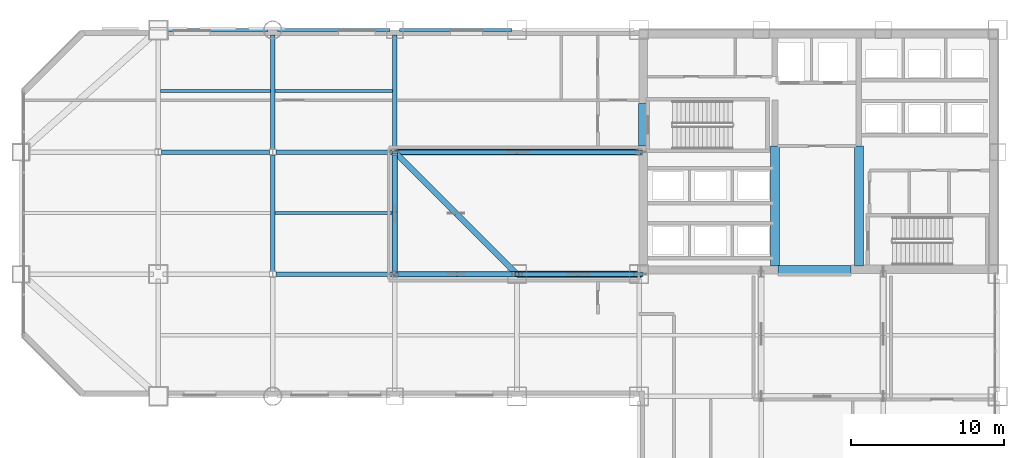
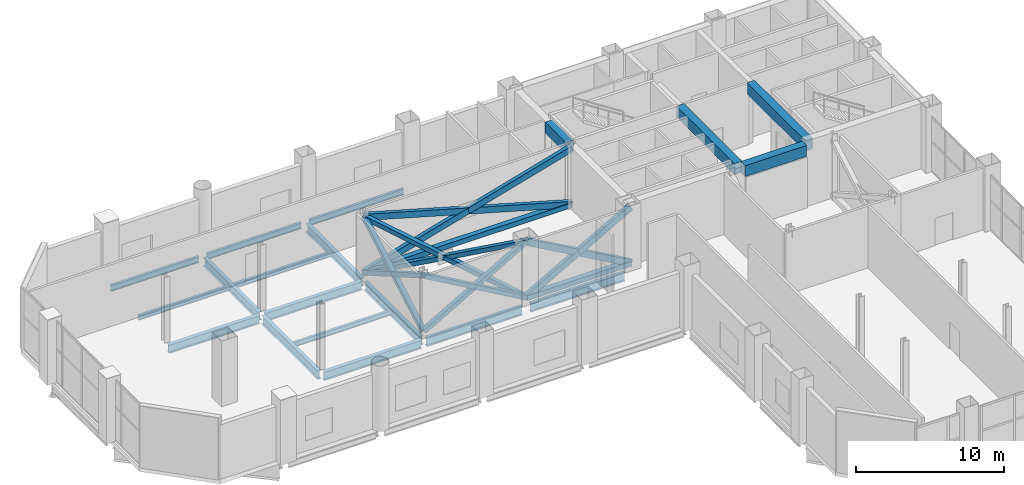
# One storey, part 18 of 26: 19 beams, 17 members.
"""IFC4 building model written with IfcOpenShell, lengths in metres."""

import ifcopenshell
import ifcopenshell.guid

model = None  # the IFC model being written
_history = None  # IfcOwnerHistory: only IFC2X3 demands one
_inside = {}  # id of a spatial element -> (the spatial element, [elements in it])
_under = {}  # id of a project, library or spatial element -> (it, [spatial elements below it])
_declared = {}  # id of a project -> (the project, [libraries it declares])
_typed = {}  # id of a type object -> (the type object, [elements of that type])
_made_of = {}  # id of a material, layer set ... -> (it, [elements and type objects made of it])


def new_model(schema):
    """Start an empty IFC model of exactly this schema.

    Asked for "IFC4X3", IfcOpenShell would pick the latest addendum, in which some entities
    have other attributes; the version numbers below select the first issue.
    IFC2X3 requires an IfcOwnerHistory on every rooted entity: one is made here for all.
    """
    global model, _history
    if schema == "IFC4X3":
        model = ifcopenshell.file(schema_version=(4, 3, 0, 0))
    else:
        model = ifcopenshell.file(schema=schema)
    _inside.clear()
    _under.clear()
    _declared.clear()
    _typed.clear()
    _made_of.clear()
    _history = None
    if model.schema == "IFC2X3":
        org = make("IfcOrganization", Name="unknown")
        user = make(
            "IfcPersonAndOrganization",
            ThePerson=make("IfcPerson", FamilyName="unknown"),
            TheOrganization=org,
        )
        app = make(
            "IfcApplication",
            ApplicationDeveloper=org,
            Version="unknown",
            ApplicationFullName="unknown",
            ApplicationIdentifier="unknown",
        )
        _history = make(
            "IfcOwnerHistory",
            OwningUser=user,
            OwningApplication=app,
            ChangeAction="ADDED",
            CreationDate=0,
        )
    return model


def make(cls, **values):
    """One entity of the class cls with the attributes given. An attribute that is None is left unset."""
    return model.create_entity(
        cls, **{name: value for name, value in values.items() if value is not None}
    )


def rooted(cls, **values):
    """An entity with a GlobalId (a new one), such as an element, a storey or a relation."""
    return make(cls, GlobalId=ifcopenshell.guid.new(), OwnerHistory=_history, **values)


def si_unit(unit_type, name, prefix=None):
    """IfcSIUnit, for example si_unit("LENGTHUNIT", "METRE", prefix="MILLI")."""
    return make("IfcSIUnit", UnitType=unit_type, Prefix=prefix, Name=name)


def assignment(units):
    """IfcUnitAssignment: the units of a project."""
    return None if units is None else make("IfcUnitAssignment", Units=units)


def point(xyz):
    """IfcCartesianPoint."""
    return None if xyz is None else make("IfcCartesianPoint", Coordinates=xyz)


def direction(xyz):
    """IfcDirection."""
    return None if xyz is None else make("IfcDirection", DirectionRatios=xyz)


def frame(location, z_axis=None, x_axis=None):
    """IfcAxis2Placement3D, a coordinate frame: its origin and axes. An axis left out is left unset."""
    return make(
        "IfcAxis2Placement3D",
        Location=point(location),
        Axis=direction(z_axis),
        RefDirection=direction(x_axis),
    )


def frame_2d(location, x_axis=None):
    """IfcAxis2Placement2D, a coordinate frame in the plane: its origin and x axis."""
    return make(
        "IfcAxis2Placement2D", Location=point(location), RefDirection=direction(x_axis)
    )


def origin():
    """The frame at (0, 0, 0) with its axes left unset."""
    return frame((0.0, 0.0, 0.0))


def origin_2d():
    """The frame at (0, 0) in the plane with its x axis left unset."""
    return frame_2d((0.0, 0.0))


def place(relative_to, where):
    """IfcLocalPlacement: puts the frame where relative to a parent placement (None: the world)."""
    return make(
        "IfcLocalPlacement", PlacementRelTo=relative_to, RelativePlacement=where
    )


def context(
    kind, dimensions, precision=None, world=None, true_north=None, identifier=None
):
    """IfcGeometricRepresentationContext, for example the 3D "Model" context."""
    return make(
        "IfcGeometricRepresentationContext",
        ContextIdentifier=identifier,
        ContextType=kind,
        CoordinateSpaceDimension=dimensions,
        Precision=precision,
        WorldCoordinateSystem=world,
        TrueNorth=true_north,
    )


def subcontext(parent, identifier, kind, view, scale=None):
    """IfcGeometricRepresentationSubContext, for example "Body" below "Model"."""
    return make(
        "IfcGeometricRepresentationSubContext",
        ContextIdentifier=identifier,
        ContextType=kind,
        ParentContext=parent,
        TargetScale=scale,
        TargetView=view,
    )


def project(units=None, contexts=None):
    """IfcProject with its units and contexts."""
    return rooted(
        "IfcProject",
        Name="project",
        RepresentationContexts=contexts,
        UnitsInContext=assignment(units),
    )


def spatial(cls, under=None, at=None, **own):
    """A site, building, storey or space (cls), placed at a placement, below another one or the project."""
    s = rooted(cls, ObjectPlacement=at, **own)
    if under is not None:
        _under.setdefault(under.id(), (under, []))[1].append(s)
    return s


def profile(cls, at=None, kind="AREA", **sizes):
    """A parametric profile (cls). Its sizes go by their IFC names, for example OverallWidth=200.0."""
    return make(cls, ProfileType=kind, Position=at, **sizes)


def rectangle(**sizes):
    """IfcRectangleProfileDef."""
    return profile("IfcRectangleProfileDef", **sizes)


def hollow_rectangle(**sizes):
    """IfcRectangleHollowProfileDef."""
    return profile("IfcRectangleHollowProfileDef", **sizes)


def i_section(**sizes):
    """IfcIShapeProfileDef."""
    return profile("IfcIShapeProfileDef", **sizes)


def extrude(swept, where, along, depth):
    """IfcExtrudedAreaSolid: the profile swept, set in the frame where, extruded along a direction by depth."""
    return make(
        "IfcExtrudedAreaSolid",
        SweptArea=swept,
        Position=where,
        ExtrudedDirection=direction(along),
        Depth=depth,
    )


def shape(context_of_items, identifier, shape_type, items):
    """IfcShapeRepresentation: the items that make up one representation, for example the "Body"."""
    return make(
        "IfcShapeRepresentation",
        ContextOfItems=context_of_items,
        RepresentationIdentifier=identifier,
        RepresentationType=shape_type,
        Items=items,
    )


def material(Name=None, Category=None):
    """IfcMaterial."""
    return make("IfcMaterial", Name=Name, Category=Category)


def material_profile(
    of_material, cross_section, Name=None, Category=None, Priority=None
):
    """IfcMaterialProfile: a cross section and its material."""
    return make(
        "IfcMaterialProfile",
        Name=Name,
        Material=of_material,
        Profile=cross_section,
        Priority=Priority,
        Category=Category,
    )


def profile_set(profiles, Name=None, composite=None):
    """IfcMaterialProfileSet."""
    return make(
        "IfcMaterialProfileSet",
        Name=Name,
        MaterialProfiles=profiles,
        CompositeProfile=composite,
    )


def made_of(thing, what):
    """Note that an element or type object is made of a material, layer set ...; save() writes the relation."""
    if what is not None:
        _made_of.setdefault(what.id(), (what, []))[1].append(thing)
    return thing


def type_object(cls, material=None, **own):
    """A type object (cls), such as IfcWallType, which elements share."""
    return made_of(rooted(cls, **own), material)


def element(
    cls,
    number,
    at=None,
    inside=None,
    cuts=None,
    type_object=None,
    material=None,
    context=None,
    identifier="Body",
    shape_type=None,
    held_by="IfcProductDefinitionShape",
    body=None,
    shapes=None,
    **own,
):
    """One element of the class cls, such as IfcWall. Its Tag is "e" and its number.

    at: its placement. inside: the storey or other place that contains it. cuts: it is an
    opening in that element (IfcRelVoidsElement). A single representation is given by context,
    identifier, shape_type and body (its items); several are given by shapes. held_by: the class
    of the entity that holds the representations. save() writes the other relations.
    """
    e = rooted(cls, Tag="e%d" % number, ObjectPlacement=at, **own)
    if body is not None:
        shapes = [shape(context, identifier, shape_type, body)]
    if shapes is not None:
        e.Representation = make(held_by, Representations=shapes)
    if inside is not None:
        _inside.setdefault(inside.id(), (inside, []))[1].append(e)
    if cuts is not None:
        rooted(
            "IfcRelVoidsElement", RelatingBuildingElement=cuts, RelatedOpeningElement=e
        )
    if type_object is not None:
        _typed.setdefault(type_object.id(), (type_object, []))[1].append(e)
    return made_of(e, material)


def aggregate(whole, parts):
    """IfcRelAggregates: a whole, such as a stair, and the parts it consists of."""
    return rooted("IfcRelAggregates", RelatingObject=whole, RelatedObjects=parts)


def save(model, path):
    """Write the relations noted so far, then the file.

    IfcRelAggregates (storeys below a building ...), IfcRelContainedInSpatialStructure (elements
    in a storey), IfcRelDefinesByType, IfcRelAssociatesMaterial and IfcRelDeclares: one each for
    every whole, place, type object, material and project.
    """
    for whole, parts in _under.values():
        aggregate(whole, parts)
    for where, things in _inside.values():
        rooted(
            "IfcRelContainedInSpatialStructure",
            RelatedElements=things,
            RelatingStructure=where,
        )
    for kind, things in _typed.values():
        rooted("IfcRelDefinesByType", RelatedObjects=things, RelatingType=kind)
    for what, things in _made_of.values():
        rooted("IfcRelAssociatesMaterial", RelatedObjects=things, RelatingMaterial=what)
    for by, libraries in _declared.values():
        rooted("IfcRelDeclares", RelatingContext=by, RelatedDefinitions=libraries)
    model.write(path)


model = new_model("IFC4")

# Units and contexts
model_context = context("Model", 3, precision=1e-05, world=origin(), true_north=direction((0.0, 1.0)))
body_context = subcontext(model_context, "Body", "Model", "MODEL_VIEW")
ifc_project = project(units=[si_unit("LENGTHUNIT", "METRE"), si_unit("AREAUNIT", "SQUARE_METRE"), si_unit("VOLUMEUNIT", "CUBIC_METRE"), si_unit("PLANEANGLEUNIT", "RADIAN"), si_unit("MASSUNIT", "GRAM", prefix="KILO")], contexts=[model_context])

# Site, building, storey
site_placement = place(None, origin())
site = spatial("IfcSite", under=ifc_project, at=site_placement, CompositionType="ELEMENT")
building_placement = place(site_placement, origin())
building = spatial("IfcBuilding", under=site, at=building_placement, Name="Qianrong Seaharbour Tower", CompositionType="ELEMENT")
storey_placement = place(building_placement, frame((0.0, 0.0, 108.199951171875)))
storey = spatial("IfcBuildingStorey", under=building, at=storey_placement, Name="L26", CompositionType="ELEMENT", Elevation=108.199951171875)

# Beams
ifc_material_1 = material(Name="Structural steel SN490B", Category="steel")
ifc_material_profile_1 = material_profile(ifc_material_1, i_section(OverallWidth=0.300048828125, OverallDepth=0.699951171875, WebThickness=0.012939453125, FlangeThickness=0.02392578125, FilletRadius=0.02587890625, at=origin_2d()), Name="H700x300x13x24")
ifc_profile_set_1 = profile_set([ifc_material_profile_1], Name="Structural steel SN490B")
beam_type_1 = type_object("IfcBeamType", Name="BM-G-700", PredefinedType="BEAM", material=ifc_profile_set_1)
beam_1_placement = place(storey_placement, frame((16.70361328125, 36.0, -0.699951171875), z_axis=(1.0, 0.0, 0.0), x_axis=(0.0, 1.0, 0.0)))
element("IfcBeam", 1, at=beam_1_placement, inside=storey, type_object=beam_type_1, Name="L26 Primary Girder GF G3-G4", PredefinedType="BEAM", context=body_context, shape_type="SweptSolid", body=[
    extrude(i_section(OverallWidth=0.300048828125, OverallDepth=0.699951171875, WebThickness=0.012939453125, FlangeThickness=0.02392578125, FilletRadius=0.02587890625, at=origin_2d()), origin(), (0.0, 0.0, 1.0), 7.5927734375),
])
beam_2_placement = place(storey_placement, frame((24.70361328125, 36.0, -0.699951171875), z_axis=(1.0, 0.0, 0.0), x_axis=(0.0, 1.0, 0.0)))
element("IfcBeam", 2, at=beam_2_placement, inside=storey, type_object=beam_type_1, Name="L26 Primary Girder GF G4-G5", PredefinedType="BEAM", context=body_context, shape_type="SweptSolid", body=[
    extrude(i_section(OverallWidth=0.300048828125, OverallDepth=0.699951171875, WebThickness=0.012939453125, FlangeThickness=0.02392578125, FilletRadius=0.02587890625, at=origin_2d()), origin(), (0.0, 0.0, 1.0), 7.476318359375),
])
beam_3_placement = place(storey_placement, frame((32.820068359375, 36.0, -0.699951171875), z_axis=(1.0, 0.0, 0.0), x_axis=(0.0, 1.0, 0.0)))
element("IfcBeam", 3, at=beam_3_placement, inside=storey, type_object=beam_type_1, Name="L26 Primary Girder GF G5-G6", PredefinedType="BEAM", context=body_context, shape_type="SweptSolid", body=[
    extrude(i_section(OverallWidth=0.300048828125, OverallDepth=0.699951171875, WebThickness=0.012939453125, FlangeThickness=0.02392578125, FilletRadius=0.02587890625, at=origin_2d()), origin(), (0.0, 0.0, 1.0), 7.35986328125),
])
beam_4_placement = place(storey_placement, frame((9.20361328125, 44.0, -0.699951171875), z_axis=(1.0, 0.0, 0.0), x_axis=(0.0, 1.0, 0.0)))
element("IfcBeam", 4, at=beam_4_placement, inside=storey, type_object=beam_type_1, Name="L26 Primary Girder GG G2-G3", PredefinedType="BEAM", context=body_context, shape_type="SweptSolid", body=[
    extrude(i_section(OverallWidth=0.300048828125, OverallDepth=0.699951171875, WebThickness=0.012939453125, FlangeThickness=0.02392578125, FilletRadius=0.02587890625, at=origin_2d()), origin(), (0.0, 0.0, 1.0), 7.0927734375),
])
beam_5_placement = place(storey_placement, frame((16.70361328125, 44.0, -0.699951171875), z_axis=(1.0, 0.0, 0.0), x_axis=(0.0, 1.0, 0.0)))
element("IfcBeam", 5, at=beam_5_placement, inside=storey, type_object=beam_type_1, Name="L26 Primary Girder GG G3-G4", PredefinedType="BEAM", context=body_context, shape_type="SweptSolid", body=[
    extrude(i_section(OverallWidth=0.300048828125, OverallDepth=0.699951171875, WebThickness=0.012939453125, FlangeThickness=0.02392578125, FilletRadius=0.02587890625, at=origin_2d()), origin(), (0.0, 0.0, 1.0), 7.5927734375),
])
beam_6_placement = place(storey_placement, frame((16.5, 36.214111328125, -0.699951171875), z_axis=(0.0, 1.0, 0.0), x_axis=(-1.0, 0.0, 0.0)))
element("IfcBeam", 6, at=beam_6_placement, inside=storey, type_object=beam_type_1, Name="L26 Primary Girder G3 GF-GG", PredefinedType="BEAM", context=body_context, shape_type="SweptSolid", body=[
    extrude(i_section(OverallWidth=0.300048828125, OverallDepth=0.699951171875, WebThickness=0.012939453125, FlangeThickness=0.02392578125, FilletRadius=0.02587890625, at=origin_2d()), origin(), (0.0, 0.0, 1.0), 7.57177734375),
])
beam_7_placement = place(storey_placement, frame((16.5, 44.214111328125, -0.699951171875), z_axis=(0.0, 1.0, 0.0), x_axis=(-1.0, 0.0, 0.0)))
element("IfcBeam", 7, at=beam_7_placement, inside=storey, type_object=beam_type_1, Name="L26 Primary Girder G3 GG-GH", PredefinedType="BEAM", context=body_context, shape_type="SweptSolid", body=[
    extrude(i_section(OverallWidth=0.300048828125, OverallDepth=0.699951171875, WebThickness=0.012939453125, FlangeThickness=0.02392578125, FilletRadius=0.02587890625, at=origin_2d()), origin(), (0.0, 0.0, 1.0), 7.4658203125),
])
beam_8_placement = place(storey_placement, frame((24.5, 36.214111328125, -0.699951171875), z_axis=(0.0, 1.0, 0.0), x_axis=(-1.0, 0.0, 0.0)))
element("IfcBeam", 8, at=beam_8_placement, inside=storey, type_object=beam_type_1, Name="L26 Primary Girder G4 GF-GG", PredefinedType="BEAM", context=body_context, shape_type="SweptSolid", body=[
    extrude(i_section(OverallWidth=0.300048828125, OverallDepth=0.699951171875, WebThickness=0.012939453125, FlangeThickness=0.02392578125, FilletRadius=0.02587890625, at=origin_2d()), origin(), (0.0, 0.0, 1.0), 7.57177734375),
])
beam_9_placement = place(storey_placement, frame((24.5, 44.214111328125, -0.699951171875), z_axis=(0.0, 1.0, 0.0), x_axis=(-1.0, 0.0, 0.0)))
element("IfcBeam", 9, at=beam_9_placement, inside=storey, type_object=beam_type_1, Name="L26 Primary Girder G4 GG-GH", PredefinedType="BEAM", context=body_context, shape_type="SweptSolid", body=[
    extrude(i_section(OverallWidth=0.300048828125, OverallDepth=0.699951171875, WebThickness=0.012939453125, FlangeThickness=0.02392578125, FilletRadius=0.02587890625, at=origin_2d()), origin(), (0.0, 0.0, 1.0), 7.4658203125),
])
ifc_material_2 = material(Name="Structural steel SN400B", Category="steel")
ifc_material_profile_2 = material_profile(ifc_material_2, i_section(OverallWidth=0.199951171875, OverallDepth=0.39990234375, WebThickness=0.008056640625, FlangeThickness=0.012939453125, FilletRadius=0.01611328125, at=origin_2d()), Name="H400x200x8x13")
ifc_profile_set_2 = profile_set([ifc_material_profile_2], Name="Structural steel SN400B")
beam_type_2 = type_object("IfcBeamType", Name="BM-J-400", PredefinedType="JOIST", material=ifc_profile_set_2)
beam_10_placement = place(storey_placement, frame((9.14990234375, 48.0, -0.550048828125), z_axis=(1.0, 0.0, 0.0), x_axis=(0.0, 1.0, 0.0)))
element("IfcBeam", 10, at=beam_10_placement, inside=storey, type_object=beam_type_2, Name="L26 Composite Floor Joist G2-G3/GG-GH", PredefinedType="JOIST", context=body_context, shape_type="SweptSolid", body=[
    extrude(i_section(OverallWidth=0.199951171875, OverallDepth=0.39990234375, WebThickness=0.008056640625, FlangeThickness=0.012939453125, FilletRadius=0.01611328125, at=origin_2d()), origin(), (0.0, 0.0, 1.0), 7.2001953125),
])
for number, where, z_axis, x_axis, name in (
    (11, (16.64990234375, 40.0, -0.550048828125), (1.0, 0.0, 0.0), (0.0, 1.0, 0.0), "L26 Composite Floor Joist G3-G4/GF-GG"),
    (12, (16.64990234375, 48.0, -0.550048828125), (1.0, 0.0, 0.0), (0.0, 1.0, 0.0), "L26 Composite Floor Joist G3-G4/GG-GH"),
):
    element("IfcBeam", number, at=place(storey_placement, frame(where, z_axis=z_axis, x_axis=x_axis)), inside=storey, type_object=beam_type_2, Name=name, PredefinedType="JOIST", context=body_context, shape_type="SweptSolid", body=[
        extrude(i_section(OverallWidth=0.199951171875, OverallDepth=0.39990234375, WebThickness=0.008056640625, FlangeThickness=0.012939453125, FilletRadius=0.01611328125, at=origin_2d()), origin(), (0.0, 0.0, 1.0), 7.7001953125),
    ])
ifc_material_3 = material(Name="Concrete C70/85", Category="concrete")
ifc_material_profile_3 = material_profile(ifc_material_3, rectangle(XDim=0.60009765625, YDim=0.89990234375, at=origin_2d()), Name="RC600x900")
ifc_profile_set_3 = profile_set([ifc_material_profile_3], Name="Concrete C70/85")
beam_type_3 = type_object("IfcBeamType", Name="BM-LINTEL-900", PredefinedType="LINTEL", material=ifc_profile_set_3)
beam_11_placement = place(storey_placement, frame((40.77001953125, 44.39990234375, 4.650146484375), z_axis=(0.0, 1.0, 0.0), x_axis=(-1.0, 0.0, 0.0)))
element("IfcBeam", 13, at=beam_11_placement, inside=storey, type_object=beam_type_3, Name="L26 Core Coupling Lintel Beam West", PredefinedType="LINTEL", context=body_context, shape_type="SweptSolid", body=[
    extrude(rectangle(XDim=0.60009765625, YDim=0.89990234375, at=origin_2d()), origin(), (0.0, 0.0, 1.0), 2.800048828125),
])
beam_12_placement = place(storey_placement, frame((49.60009765625, 36.27001953125, 4.650146484375), z_axis=(1.0, 0.0, 0.0), x_axis=(0.0, 1.0, 0.0)))
element("IfcBeam", 14, at=beam_12_placement, inside=storey, type_object=beam_type_3, Name="L26 Core Coupling Lintel Beam CBC", PredefinedType="LINTEL", context=body_context, shape_type="SweptSolid", body=[
    extrude(rectangle(XDim=0.60009765625, YDim=0.89990234375, at=origin_2d()), origin(), (0.0, 0.0, 1.0), 4.7998046875),
])
for number, where, z_axis, x_axis, name in (
    (15, (49.39990234375, 36.5400390625, 4.650146484375), (0.0, 1.0, 0.0), (-1.0, 0.0, 0.0), "L26 Internal Core Coupling Beam IW1"),
    (16, (54.89990234375, 36.5400390625, 4.650146484375), (0.0, 1.0, 0.0), (-1.0, 0.0, 0.0), "L26 Internal Core Coupling Beam IW2"),
):
    element("IfcBeam", number, at=place(storey_placement, frame(where, z_axis=z_axis, x_axis=x_axis)), inside=storey, type_object=beam_type_3, Name=name, PredefinedType="LINTEL", context=body_context, shape_type="SweptSolid", body=[
        extrude(rectangle(XDim=0.60009765625, YDim=0.89990234375, at=origin_2d()), origin(), (0.0, 0.0, 1.0), 7.85986328125),
    ])
ifc_material_profile_4 = material_profile(ifc_material_1, i_section(OverallWidth=0.199951171875, OverallDepth=0.5, WebThickness=0.010009765625, FlangeThickness=0.01611328125, FilletRadius=0.02001953125, at=origin_2d()), Name="H500x200x10x16")
ifc_profile_set_4 = profile_set([ifc_material_profile_4], Name="Structural steel SN490B")
beam_type_4 = type_object("IfcBeamType", Name="BM-SP-500", PredefinedType="SPANDREL", material=ifc_profile_set_4)
beam_13_placement = place(storey_placement, frame((9.320068359375, 52.0, -0.599853515625), z_axis=(1.0, 0.0, 0.0), x_axis=(0.0, 1.0, 0.0)))
element("IfcBeam", 17, at=beam_13_placement, inside=storey, type_object=beam_type_4, Name="L26 Spandrel Girder GH G2-G3", PredefinedType="SPANDREL", context=body_context, shape_type="SweptSolid", body=[
    extrude(i_section(OverallWidth=0.199951171875, OverallDepth=0.5, WebThickness=0.010009765625, FlangeThickness=0.01611328125, FilletRadius=0.02001953125, at=origin_2d()), origin(), (0.0, 0.0, 1.0), 6.85986328125),
])
for number, where, z_axis, x_axis, name in (
    (18, (16.820068359375, 52.0, -0.599853515625), (1.0, 0.0, 0.0), (0.0, 1.0, 0.0), "L26 Spandrel Girder GH G3-G4"),
    (19, (24.820068359375, 52.0, -0.599853515625), (1.0, 0.0, 0.0), (0.0, 1.0, 0.0), "L26 Spandrel Girder GH G4-G5"),
):
    element("IfcBeam", number, at=place(storey_placement, frame(where, z_axis=z_axis, x_axis=x_axis)), inside=storey, type_object=beam_type_4, Name=name, PredefinedType="SPANDREL", context=body_context, shape_type="SweptSolid", body=[
        extrude(i_section(OverallWidth=0.199951171875, OverallDepth=0.5, WebThickness=0.010009765625, FlangeThickness=0.01611328125, FilletRadius=0.02001953125, at=origin_2d()), origin(), (0.0, 0.0, 1.0), 7.35986328125),
    ])

# Members
ifc_material_profile_5 = material_profile(ifc_material_1, hollow_rectangle(XDim=0.35009765625, YDim=0.35009765625, WallThickness=0.01611328125, at=origin_2d()), Name="SHS350x350x16")
ifc_profile_set_5 = profile_set([ifc_material_profile_5], Name="Structural steel SN490B")
member_type_1 = type_object("IfcMemberType", Name="MEM-BT-SHS350", PredefinedType="BRACE", material=ifc_profile_set_5)
member_1_placement = place(storey_placement, frame((24.5, 36.0, 0.25), z_axis=(0.866901730117, 0.0, 0.498479077114), x_axis=(0.0, 1.0, 0.0)))
element("IfcMember", 20, at=member_1_placement, inside=storey, type_object=member_type_1, Name="L26 Interior Belt Truss Diagonal Brace BT-13", PredefinedType="BRACE", context=body_context, shape_type="SweptSolid", body=[
    extrude(hollow_rectangle(XDim=0.35009765625, YDim=0.35009765625, WallThickness=0.01611328125, at=origin_2d()), origin(), (0.0, 0.0, 1.0), 9.228271484375),
])
for number, where, z_axis, x_axis, name in (
    (21, (24.5, 36.0, 4.85009765625), (0.866901730117, 0.0, -0.498479077114), (0.0, 1.0, 0.0), "L26 Interior Belt Truss Diagonal Brace BT-14"),
    (22, (28.5, 36.0, 2.550048828125), (0.866901730117, 0.0, -0.498479077114), (0.0, 1.0, 0.0), "L26 Interior Belt Truss Diagonal Brace BT-15"),
):
    element("IfcMember", number, at=place(storey_placement, frame(where, z_axis=z_axis, x_axis=x_axis)), inside=storey, type_object=member_type_1, Name=name, PredefinedType="BRACE", context=body_context, shape_type="SweptSolid", body=[
        extrude(hollow_rectangle(XDim=0.35009765625, YDim=0.35009765625, WallThickness=0.01611328125, at=origin_2d()), origin(), (0.0, 0.0, 1.0), 4.614013671875),
    ])
member_2_placement = place(storey_placement, frame((24.5, 36.0, 0.25), z_axis=(0.0, 0.866901730117, 0.498479077114), x_axis=(-1.0, 0.0, 0.0)))
element("IfcMember", 23, at=member_2_placement, inside=storey, type_object=member_type_1, Name="L26 Interior Belt Truss Diagonal Brace BT-16", PredefinedType="BRACE", context=body_context, shape_type="SweptSolid", body=[
    extrude(hollow_rectangle(XDim=0.35009765625, YDim=0.35009765625, WallThickness=0.01611328125, at=origin_2d()), origin(), (0.0, 0.0, 1.0), 9.228271484375),
])
for number, where, z_axis, x_axis, name in (
    (24, (24.5, 36.0, 4.85009765625), (0.0, 0.866901730117, -0.498479077114), (-1.0, 0.0, 0.0), "L26 Interior Belt Truss Diagonal Brace BT-17"),
    (25, (24.5, 40.0, 2.550048828125), (0.0, 0.866901730117, -0.498479077114), (-1.0, 0.0, 0.0), "L26 Interior Belt Truss Diagonal Brace BT-18"),
):
    element("IfcMember", number, at=place(storey_placement, frame(where, z_axis=z_axis, x_axis=x_axis)), inside=storey, type_object=member_type_1, Name=name, PredefinedType="BRACE", context=body_context, shape_type="SweptSolid", body=[
        extrude(hollow_rectangle(XDim=0.35009765625, YDim=0.35009765625, WallThickness=0.01611328125, at=origin_2d()), origin(), (0.0, 0.0, 1.0), 4.614013671875),
    ])
member_3_placement = place(storey_placement, frame((24.5, 44.0, 0.25), z_axis=(0.655031961958, -0.655031961958, 0.376651374121), x_axis=(0.707106781187, 0.707106781187, 0.0)))
element("IfcMember", 26, at=member_3_placement, inside=storey, type_object=member_type_1, Name="L26 Interior Belt Truss Diagonal Brace BT-22", PredefinedType="BRACE", context=body_context, shape_type="SweptSolid", body=[
    extrude(hollow_rectangle(XDim=0.35009765625, YDim=0.35009765625, WallThickness=0.01611328125, at=origin_2d()), origin(), (0.0, 0.0, 1.0), 12.213134765625),
])
for number, where, z_axis, x_axis, name in (
    (27, (24.5, 44.0, 4.85009765625), (0.655031961958, -0.655031961958, -0.376651374121), (0.707106781187, 0.707106781187, 0.0), "L26 Interior Belt Truss Diagonal Brace BT-23"),
    (28, (28.5, 40.0, 2.550048828125), (0.655031961958, -0.655031961958, -0.376651374121), (0.707106781187, 0.707106781187, 0.0), "L26 Interior Belt Truss Diagonal Brace BT-24"),
):
    element("IfcMember", number, at=place(storey_placement, frame(where, z_axis=z_axis, x_axis=x_axis)), inside=storey, type_object=member_type_1, Name=name, PredefinedType="BRACE", context=body_context, shape_type="SweptSolid", body=[
        extrude(hollow_rectangle(XDim=0.35009765625, YDim=0.35009765625, WallThickness=0.01611328125, at=origin_2d()), origin(), (0.0, 0.0, 1.0), 6.106689453125),
    ])
ifc_material_profile_6 = material_profile(ifc_material_1, hollow_rectangle(XDim=0.39990234375, YDim=0.39990234375, WallThickness=0.02001953125, at=origin_2d()), Name="SHS400x400x20")
ifc_profile_set_6 = profile_set([ifc_material_profile_6], Name="Structural steel SN490B")
member_type_2 = type_object("IfcMemberType", Name="MEM-CHORD-400", PredefinedType="CHORD", material=ifc_profile_set_6)
member_4_placement = place(storey_placement, frame((32.5, 36.0, 0.25), z_axis=(1.0, 0.0, 0.0), x_axis=(0.0, 1.0, 0.0)))
element("IfcMember", 29, at=member_4_placement, inside=storey, type_object=member_type_2, Name="L26 Outrigger Truss Bottom Chord GF", PredefinedType="CHORD", context=body_context, shape_type="SweptSolid", body=[
    extrude(hollow_rectangle(XDim=0.39990234375, YDim=0.39990234375, WallThickness=0.02001953125, at=origin_2d()), origin(), (0.0, 0.0, 1.0), 8.14990234375),
])
member_5_placement = place(storey_placement, frame((24.5, 44.0, 0.25), z_axis=(1.0, 0.0, 0.0), x_axis=(0.0, 1.0, 0.0)))
element("IfcMember", 30, at=member_5_placement, inside=storey, type_object=member_type_2, Name="L26 Outrigger Truss Bottom Chord GG", PredefinedType="CHORD", context=body_context, shape_type="SweptSolid", body=[
    extrude(hollow_rectangle(XDim=0.39990234375, YDim=0.39990234375, WallThickness=0.02001953125, at=origin_2d()), origin(), (0.0, 0.0, 1.0), 16.14990234375),
])
ifc_material_profile_7 = material_profile(ifc_material_1, hollow_rectangle(XDim=0.300048828125, YDim=0.5, WallThickness=0.02197265625, at=origin_2d()), Name="RHS500x300x22")
ifc_profile_set_7 = profile_set([ifc_material_profile_7], Name="Structural steel SN490B")
member_type_3 = type_object("IfcMemberType", Name="MEM-OT-RHS500", PredefinedType="BRACE", material=ifc_profile_set_7)
member_6_placement = place(storey_placement, frame((40.64990234375, 36.0, 0.25), z_axis=(-0.87085420857, 0.0, 0.491541399493), x_axis=(0.0, -1.0, 0.0)))
element("IfcMember", 31, at=member_6_placement, inside=storey, type_object=member_type_3, Name="L26 Outrigger Truss Diagonal Brace OT-01", PredefinedType="BRACE", context=body_context, shape_type="SweptSolid", body=[
    extrude(hollow_rectangle(XDim=0.300048828125, YDim=0.5, WallThickness=0.02197265625, at=origin_2d()), origin(), (0.0, 0.0, 1.0), 9.3583984375),
])
for number, where, z_axis, x_axis, name in (
    (32, (40.64990234375, 36.0, 4.85009765625), (-0.87085420857, 0.0, -0.491541399493), (0.0, -1.0, 0.0), "L26 Outrigger Truss Diagonal Brace OT-02"),
    (33, (36.574951171875, 36.0, 2.550048828125), (-0.87085420857, 0.0, -0.491541399493), (0.0, -1.0, 0.0), "L26 Outrigger Truss Diagonal Brace OT-03"),
):
    element("IfcMember", number, at=place(storey_placement, frame(where, z_axis=z_axis, x_axis=x_axis)), inside=storey, type_object=member_type_3, Name=name, PredefinedType="BRACE", context=body_context, shape_type="SweptSolid", body=[
        extrude(hollow_rectangle(XDim=0.300048828125, YDim=0.5, WallThickness=0.02197265625, at=origin_2d()), origin(), (0.0, 0.0, 1.0), 4.67919921875),
    ])
member_7_placement = place(storey_placement, frame((40.64990234375, 44.0, 0.25), z_axis=(-0.961746378073, 0.0, 0.273941424878), x_axis=(0.0, -1.0, 0.0)))
element("IfcMember", 34, at=member_7_placement, inside=storey, type_object=member_type_3, Name="L26 Outrigger Truss Diagonal Brace OT-04", PredefinedType="BRACE", context=body_context, shape_type="SweptSolid", body=[
    extrude(hollow_rectangle(XDim=0.300048828125, YDim=0.5, WallThickness=0.02197265625, at=origin_2d()), origin(), (0.0, 0.0, 1.0), 16.792236328125),
])
for number, where, z_axis, x_axis, name in (
    (35, (40.64990234375, 44.0, 4.85009765625), (-0.961746378073, 0.0, -0.273941424878), (0.0, -1.0, 0.0), "L26 Outrigger Truss Diagonal Brace OT-05"),
    (36, (32.574951171875, 44.0, 2.550048828125), (-0.961746378073, 0.0, -0.273941424878), (0.0, -1.0, 0.0), "L26 Outrigger Truss Diagonal Brace OT-06"),
):
    element("IfcMember", number, at=place(storey_placement, frame(where, z_axis=z_axis, x_axis=x_axis)), inside=storey, type_object=member_type_3, Name=name, PredefinedType="BRACE", context=body_context, shape_type="SweptSolid", body=[
        extrude(hollow_rectangle(XDim=0.300048828125, YDim=0.5, WallThickness=0.02197265625, at=origin_2d()), origin(), (0.0, 0.0, 1.0), 8.396240234375),
    ])

save(model, "model.ifc")
